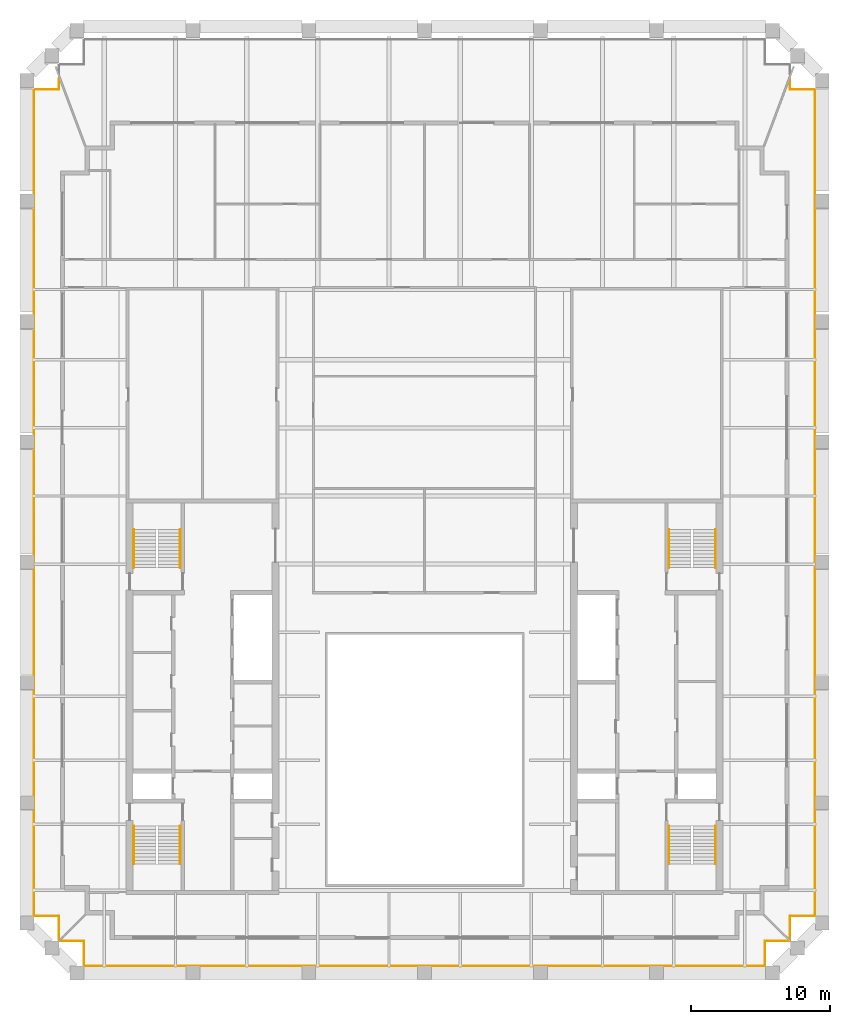
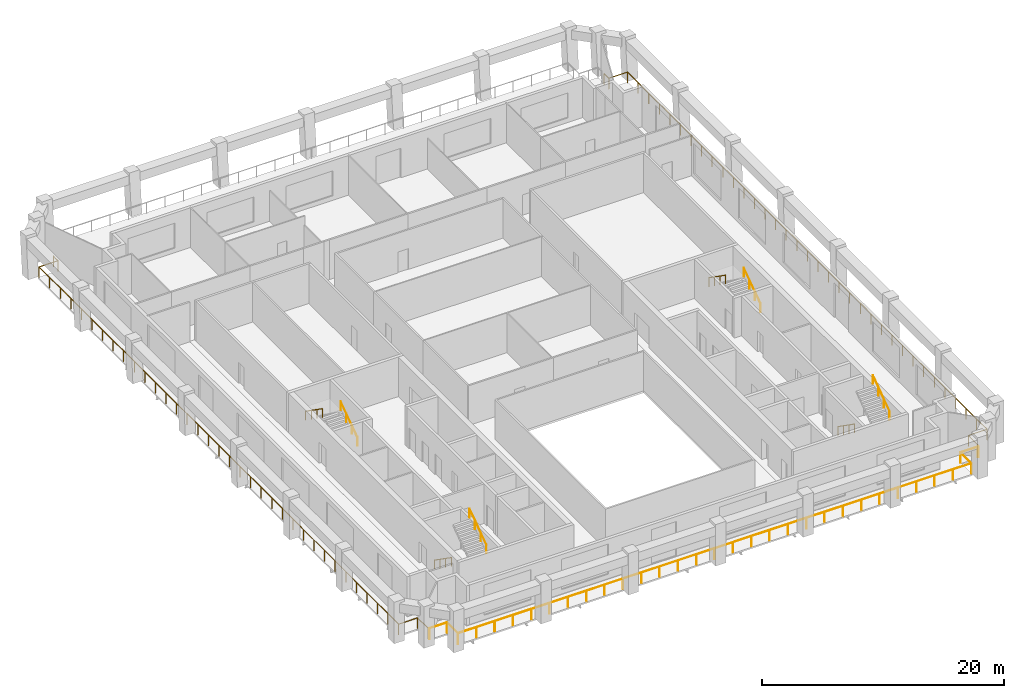
# One storey, part 8 of 9: 11 railings.
"""IFC4 building model written with IfcOpenShell, lengths in metres."""

from ifc_helpers import new_model, si_unit, direction, frame, origin, origin_2d, place, context, subcontext, project, spatial, circle, extrude, material, type_object, element, save


model = new_model("IFC4")

# Units and contexts
model_context = context("Model", 3, precision=1e-05, world=origin(), true_north=direction((0.0, 1.0)))
body_context = subcontext(model_context, "Body", "Model", "MODEL_VIEW")
ifc_project = project(units=[si_unit("LENGTHUNIT", "METRE"), si_unit("AREAUNIT", "SQUARE_METRE"), si_unit("VOLUMEUNIT", "CUBIC_METRE"), si_unit("PLANEANGLEUNIT", "RADIAN"), si_unit("MASSUNIT", "GRAM", prefix="KILO")], contexts=[model_context])

# Site, building, storey
site_placement = place(None, origin())
site = spatial("IfcSite", under=ifc_project, at=site_placement, CompositionType="ELEMENT")
building_placement = place(site_placement, origin())
building = spatial("IfcBuilding", under=site, at=building_placement, Name="Ogive Exchange Tower", CompositionType="ELEMENT")
storey_placement = place(building_placement, frame((0.0, 0.0, 346.800048828125)))
storey = spatial("IfcBuildingStorey", under=building, at=storey_placement, Name="L76", CompositionType="ELEMENT", Elevation=346.800048828125)

# Railings
ifc_material_1 = material(Name="Stainless steel 316", Category="steel")
railing_type_1 = type_object("IfcRailingType", Name="Guard 1100 stainless steel and glass", PredefinedType="GUARDRAIL", material=ifc_material_1)
railing_1_placement = place(storey_placement, frame((26.238037109375, -6.080078125, -0.050048828125)))
element("IfcRailing", 1, at=railing_1_placement, inside=storey, type_object=railing_type_1, Name="Loggia guard 1", PredefinedType="GUARDRAIL", context=body_context, shape_type="SweptSolid", body=[
    extrude(circle(Radius=0.02392578125, at=origin_2d()), frame((0.0, 0.0, 1.076171875), z_axis=(-1.0, 0.0, 0.0), x_axis=(0.0, -1.0, 0.0)), (0.0, 0.0, 1.0), 1.7080078125),
    extrude(circle(Radius=0.02392578125, at=origin_2d()), frame((-1.7080078125, 0.0, 1.076171875), z_axis=(0.0, -1.0, 0.0), x_axis=(1.0, 0.0, 0.0)), (0.0, 0.0, 1.0), 1.7998046875),
    extrude(circle(Radius=0.02392578125, at=origin_2d()), frame((-1.7080078125, -1.7998046875, 1.076171875), z_axis=(-1.0, 0.0, 0.0), x_axis=(0.0, -1.0, 0.0)), (0.0, 0.0, 1.0), 49.06005859375),
    extrude(circle(Radius=0.02392578125, at=origin_2d()), frame((-50.76806640625, -1.7998046875, 1.076171875), z_axis=(0.0, 1.0, 0.0), x_axis=(-1.0, 0.0, 0.0)), (0.0, 0.0, 1.0), 1.7998046875),
    extrude(circle(Radius=0.02392578125, at=origin_2d()), frame((-50.76806640625, 0.0, 1.076171875), z_axis=(-1.0, 0.0, 0.0), x_axis=(0.0, -1.0, 0.0)), (0.0, 0.0, 1.0), 1.7080078125),
    extrude(circle(Radius=0.02099609375, at=origin_2d()), origin(), (0.0, 0.0, 1.0), 1.052001953125),
    extrude(circle(Radius=0.02099609375, at=origin_2d()), frame((-1.7080078125, 0.0, 0.0)), (0.0, 0.0, 1.0), 1.052001953125),
    extrude(circle(Radius=0.02099609375, at=origin_2d()), frame((-1.7080078125, -1.7998046875, 0.0)), (0.0, 0.0, 1.0), 1.052001953125),
    extrude(circle(Radius=0.02099609375, at=origin_2d()), frame((-3.460205078125, -1.7998046875, 0.0)), (0.0, 0.0, 1.0), 1.052001953125),
    extrude(circle(Radius=0.02099609375, at=origin_2d()), frame((-5.21240234375, -1.7998046875, 0.0)), (0.0, 0.0, 1.0), 1.052001953125),
    extrude(circle(Radius=0.02099609375, at=origin_2d()), frame((-6.96435546875, -1.7998046875, 0.0)), (0.0, 0.0, 1.0), 1.052001953125),
    extrude(circle(Radius=0.02099609375, at=origin_2d()), frame((-8.716552734375, -1.7998046875, 0.0)), (0.0, 0.0, 1.0), 1.052001953125),
    extrude(circle(Radius=0.02099609375, at=origin_2d()), frame((-10.46875, -1.7998046875, 0.0)), (0.0, 0.0, 1.0), 1.052001953125),
    extrude(circle(Radius=0.02099609375, at=origin_2d()), frame((-12.220947265625, -1.7998046875, 0.0)), (0.0, 0.0, 1.0), 1.052001953125),
    extrude(circle(Radius=0.02099609375, at=origin_2d()), frame((-13.97314453125, -1.7998046875, 0.0)), (0.0, 0.0, 1.0), 1.052001953125),
    extrude(circle(Radius=0.02099609375, at=origin_2d()), frame((-15.72509765625, -1.7998046875, 0.0)), (0.0, 0.0, 1.0), 1.052001953125),
    extrude(circle(Radius=0.02099609375, at=origin_2d()), frame((-17.477294921875, -1.7998046875, 0.0)), (0.0, 0.0, 1.0), 1.052001953125),
    extrude(circle(Radius=0.02099609375, at=origin_2d()), frame((-19.2294921875, -1.7998046875, 0.0)), (0.0, 0.0, 1.0), 1.052001953125),
    extrude(circle(Radius=0.02099609375, at=origin_2d()), frame((-20.981689453125, -1.7998046875, 0.0)), (0.0, 0.0, 1.0), 1.052001953125),
    extrude(circle(Radius=0.02099609375, at=origin_2d()), frame((-22.733642578125, -1.7998046875, 0.0)), (0.0, 0.0, 1.0), 1.052001953125),
    extrude(circle(Radius=0.02099609375, at=origin_2d()), frame((-24.48583984375, -1.7998046875, 0.0)), (0.0, 0.0, 1.0), 1.052001953125),
    extrude(circle(Radius=0.02099609375, at=origin_2d()), frame((-26.238037109375, -1.7998046875, 0.0)), (0.0, 0.0, 1.0), 1.052001953125),
    extrude(circle(Radius=0.02099609375, at=origin_2d()), frame((-27.990234375, -1.7998046875, 0.0)), (0.0, 0.0, 1.0), 1.052001953125),
    extrude(circle(Radius=0.02099609375, at=origin_2d()), frame((-29.742431640625, -1.7998046875, 0.0)), (0.0, 0.0, 1.0), 1.052001953125),
    extrude(circle(Radius=0.02099609375, at=origin_2d()), frame((-31.494384765625, -1.7998046875, 0.0)), (0.0, 0.0, 1.0), 1.052001953125),
    extrude(circle(Radius=0.02099609375, at=origin_2d()), frame((-33.24658203125, -1.7998046875, 0.0)), (0.0, 0.0, 1.0), 1.052001953125),
    extrude(circle(Radius=0.02099609375, at=origin_2d()), frame((-34.998779296875, -1.7998046875, 0.0)), (0.0, 0.0, 1.0), 1.052001953125),
    extrude(circle(Radius=0.02099609375, at=origin_2d()), frame((-36.7509765625, -1.7998046875, 0.0)), (0.0, 0.0, 1.0), 1.052001953125),
    extrude(circle(Radius=0.02099609375, at=origin_2d()), frame((-38.5029296875, -1.7998046875, 0.0)), (0.0, 0.0, 1.0), 1.052001953125),
    extrude(circle(Radius=0.02099609375, at=origin_2d()), frame((-40.255126953125, -1.7998046875, 0.0)), (0.0, 0.0, 1.0), 1.052001953125),
    extrude(circle(Radius=0.02099609375, at=origin_2d()), frame((-42.00732421875, -1.7998046875, 0.0)), (0.0, 0.0, 1.0), 1.052001953125),
    extrude(circle(Radius=0.02099609375, at=origin_2d()), frame((-43.759521484375, -1.7998046875, 0.0)), (0.0, 0.0, 1.0), 1.052001953125),
    extrude(circle(Radius=0.02099609375, at=origin_2d()), frame((-45.51171875, -1.7998046875, 0.0)), (0.0, 0.0, 1.0), 1.052001953125),
    extrude(circle(Radius=0.02099609375, at=origin_2d()), frame((-47.263671875, -1.7998046875, 0.0)), (0.0, 0.0, 1.0), 1.052001953125),
    extrude(circle(Radius=0.02099609375, at=origin_2d()), frame((-49.015869140625, -1.7998046875, 0.0)), (0.0, 0.0, 1.0), 1.052001953125),
    extrude(circle(Radius=0.02099609375, at=origin_2d()), frame((-50.76806640625, -1.7998046875, 0.0)), (0.0, 0.0, 1.0), 1.052001953125),
    extrude(circle(Radius=0.02099609375, at=origin_2d()), frame((-50.76806640625, 0.0, 0.0)), (0.0, 0.0, 1.0), 1.052001953125),
    extrude(circle(Radius=0.02099609375, at=origin_2d()), frame((-52.47607421875, 0.0, 0.0)), (0.0, 0.0, 1.0), 1.052001953125),
])
railing_2_placement = place(storey_placement, frame((-26.330078125, -5.988037109375, -0.050048828125)))
element("IfcRailing", 2, at=railing_2_placement, inside=storey, type_object=railing_type_1, Name="Loggia guard 2", PredefinedType="GUARDRAIL", context=body_context, shape_type="SweptSolid", body=[
    extrude(circle(Radius=0.02392578125, at=origin_2d()), frame((0.0, 0.0, 1.076171875), z_axis=(0.0, 1.0, 0.0), x_axis=(-1.0, 0.0, 0.0)), (0.0, 0.0, 1.0), 1.7080078125),
    extrude(circle(Radius=0.02392578125, at=origin_2d()), frame((0.0, 1.7080078125, 1.076171875), z_axis=(-1.0, 0.0, 0.0), x_axis=(0.0, -1.0, 0.0)), (0.0, 0.0, 1.0), 1.7998046875),
    extrude(circle(Radius=0.02392578125, at=origin_2d()), frame((-1.7998046875, 1.7080078125, 1.076171875), z_axis=(0.0, 1.0, 0.0), x_axis=(-1.0, 0.0, 0.0)), (0.0, 0.0, 1.0), 59.541748046875),
    extrude(circle(Radius=0.02392578125, at=origin_2d()), frame((-1.7998046875, 61.249755859375, 1.076171875), z_axis=(1.0, 0.0, 0.0), x_axis=(0.0, 1.0, 0.0)), (0.0, 0.0, 1.0), 1.7998046875),
    extrude(circle(Radius=0.02392578125, at=origin_2d()), frame((0.0, 61.249755859375, 1.076171875), z_axis=(0.0, 1.0, 0.0), x_axis=(-1.0, 0.0, 0.0)), (0.0, 0.0, 1.0), 0.752685546875),
    extrude(circle(Radius=0.02099609375, at=origin_2d()), origin(), (0.0, 0.0, 1.0), 1.052001953125),
    extrude(circle(Radius=0.02099609375, at=origin_2d()), frame((0.0, 1.7080078125, 0.0)), (0.0, 0.0, 1.0), 1.052001953125),
    extrude(circle(Radius=0.02099609375, at=origin_2d()), frame((-1.7998046875, 1.7080078125, 0.0)), (0.0, 0.0, 1.0), 1.052001953125),
    extrude(circle(Radius=0.02099609375, at=origin_2d()), frame((-1.7998046875, 3.459228515625, 0.0)), (0.0, 0.0, 1.0), 1.052001953125),
    extrude(circle(Radius=0.02099609375, at=origin_2d()), frame((-1.7998046875, 5.21044921875, 0.0)), (0.0, 0.0, 1.0), 1.052001953125),
    extrude(circle(Radius=0.02099609375, at=origin_2d()), frame((-1.7998046875, 6.961669921875, 0.0)), (0.0, 0.0, 1.0), 1.052001953125),
    extrude(circle(Radius=0.02099609375, at=origin_2d()), frame((-1.7998046875, 8.712890625, 0.0)), (0.0, 0.0, 1.0), 1.052001953125),
    extrude(circle(Radius=0.02099609375, at=origin_2d()), frame((-1.7998046875, 10.464111328125, 0.0)), (0.0, 0.0, 1.0), 1.052001953125),
    extrude(circle(Radius=0.02099609375, at=origin_2d()), frame((-1.7998046875, 12.21533203125, 0.0)), (0.0, 0.0, 1.0), 1.052001953125),
    extrude(circle(Radius=0.02099609375, at=origin_2d()), frame((-1.7998046875, 13.966552734375, 0.0)), (0.0, 0.0, 1.0), 1.052001953125),
    extrude(circle(Radius=0.02099609375, at=origin_2d()), frame((-1.7998046875, 15.7177734375, 0.0)), (0.0, 0.0, 1.0), 1.052001953125),
    extrude(circle(Radius=0.02099609375, at=origin_2d()), frame((-1.7998046875, 17.468994140625, 0.0)), (0.0, 0.0, 1.0), 1.052001953125),
    extrude(circle(Radius=0.02099609375, at=origin_2d()), frame((-1.7998046875, 19.22021484375, 0.0)), (0.0, 0.0, 1.0), 1.052001953125),
    extrude(circle(Radius=0.02099609375, at=origin_2d()), frame((-1.7998046875, 20.971435546875, 0.0)), (0.0, 0.0, 1.0), 1.052001953125),
    extrude(circle(Radius=0.02099609375, at=origin_2d()), frame((-1.7998046875, 22.72265625, 0.0)), (0.0, 0.0, 1.0), 1.052001953125),
    extrude(circle(Radius=0.02099609375, at=origin_2d()), frame((-1.7998046875, 24.473876953125, 0.0)), (0.0, 0.0, 1.0), 1.052001953125),
    extrude(circle(Radius=0.02099609375, at=origin_2d()), frame((-1.7998046875, 26.22509765625, 0.0)), (0.0, 0.0, 1.0), 1.052001953125),
    extrude(circle(Radius=0.02099609375, at=origin_2d()), frame((-1.7998046875, 27.976318359375, 0.0)), (0.0, 0.0, 1.0), 1.052001953125),
    extrude(circle(Radius=0.02099609375, at=origin_2d()), frame((-1.7998046875, 29.7275390625, 0.0)), (0.0, 0.0, 1.0), 1.052001953125),
    extrude(circle(Radius=0.02099609375, at=origin_2d()), frame((-1.7998046875, 31.47900390625, 0.0)), (0.0, 0.0, 1.0), 1.052001953125),
    extrude(circle(Radius=0.02099609375, at=origin_2d()), frame((-1.7998046875, 33.230224609375, 0.0)), (0.0, 0.0, 1.0), 1.052001953125),
    extrude(circle(Radius=0.02099609375, at=origin_2d()), frame((-1.7998046875, 34.9814453125, 0.0)), (0.0, 0.0, 1.0), 1.052001953125),
    extrude(circle(Radius=0.02099609375, at=origin_2d()), frame((-1.7998046875, 36.732666015625, 0.0)), (0.0, 0.0, 1.0), 1.052001953125),
    extrude(circle(Radius=0.02099609375, at=origin_2d()), frame((-1.7998046875, 38.48388671875, 0.0)), (0.0, 0.0, 1.0), 1.052001953125),
    extrude(circle(Radius=0.02099609375, at=origin_2d()), frame((-1.7998046875, 40.235107421875, 0.0)), (0.0, 0.0, 1.0), 1.052001953125),
    extrude(circle(Radius=0.02099609375, at=origin_2d()), frame((-1.7998046875, 41.986328125, 0.0)), (0.0, 0.0, 1.0), 1.052001953125),
    extrude(circle(Radius=0.02099609375, at=origin_2d()), frame((-1.7998046875, 43.737548828125, 0.0)), (0.0, 0.0, 1.0), 1.052001953125),
    extrude(circle(Radius=0.02099609375, at=origin_2d()), frame((-1.7998046875, 45.48876953125, 0.0)), (0.0, 0.0, 1.0), 1.052001953125),
    extrude(circle(Radius=0.02099609375, at=origin_2d()), frame((-1.7998046875, 47.239990234375, 0.0)), (0.0, 0.0, 1.0), 1.052001953125),
    extrude(circle(Radius=0.02099609375, at=origin_2d()), frame((-1.7998046875, 48.9912109375, 0.0)), (0.0, 0.0, 1.0), 1.052001953125),
    extrude(circle(Radius=0.02099609375, at=origin_2d()), frame((-1.7998046875, 50.742431640625, 0.0)), (0.0, 0.0, 1.0), 1.052001953125),
    extrude(circle(Radius=0.02099609375, at=origin_2d()), frame((-1.7998046875, 52.49365234375, 0.0)), (0.0, 0.0, 1.0), 1.052001953125),
    extrude(circle(Radius=0.02099609375, at=origin_2d()), frame((-1.7998046875, 54.244873046875, 0.0)), (0.0, 0.0, 1.0), 1.052001953125),
    extrude(circle(Radius=0.02099609375, at=origin_2d()), frame((-1.7998046875, 55.99609375, 0.0)), (0.0, 0.0, 1.0), 1.052001953125),
    extrude(circle(Radius=0.02099609375, at=origin_2d()), frame((-1.7998046875, 57.747314453125, 0.0)), (0.0, 0.0, 1.0), 1.052001953125),
    extrude(circle(Radius=0.02099609375, at=origin_2d()), frame((-1.7998046875, 59.49853515625, 0.0)), (0.0, 0.0, 1.0), 1.052001953125),
    extrude(circle(Radius=0.02099609375, at=origin_2d()), frame((-1.7998046875, 61.249755859375, 0.0)), (0.0, 0.0, 1.0), 1.052001953125),
    extrude(circle(Radius=0.02099609375, at=origin_2d()), frame((0.0, 61.249755859375, 0.0)), (0.0, 0.0, 1.0), 1.052001953125),
    extrude(circle(Radius=0.02099609375, at=origin_2d()), frame((0.0, 62.00244140625, 0.0)), (0.0, 0.0, 1.0), 1.052001953125),
])
railing_3_placement = place(storey_placement, frame((26.330078125, 56.014404296875, -0.050048828125)))
element("IfcRailing", 3, at=railing_3_placement, inside=storey, type_object=railing_type_1, Name="Loggia guard 4", PredefinedType="GUARDRAIL", context=body_context, shape_type="SweptSolid", body=[
    extrude(circle(Radius=0.02392578125, at=origin_2d()), frame((0.0, 0.0, 1.076171875), z_axis=(0.0, -1.0, 0.0), x_axis=(1.0, 0.0, 0.0)), (0.0, 0.0, 1.0), 0.752685546875),
    extrude(circle(Radius=0.02392578125, at=origin_2d()), frame((0.0, -0.752685546875, 1.076171875), z_axis=(1.0, 0.0, 0.0), x_axis=(0.0, 1.0, 0.0)), (0.0, 0.0, 1.0), 1.7998046875),
    extrude(circle(Radius=0.02392578125, at=origin_2d()), frame((1.7998046875, -0.752685546875, 1.076171875), z_axis=(0.0, -1.0, 0.0), x_axis=(1.0, 0.0, 0.0)), (0.0, 0.0, 1.0), 59.541748046875),
    extrude(circle(Radius=0.02392578125, at=origin_2d()), frame((1.7998046875, -60.29443359375, 1.076171875), z_axis=(-1.0, 0.0, 0.0), x_axis=(0.0, -1.0, 0.0)), (0.0, 0.0, 1.0), 1.7998046875),
    extrude(circle(Radius=0.02392578125, at=origin_2d()), frame((0.0, -60.29443359375, 1.076171875), z_axis=(0.0, -1.0, 0.0), x_axis=(1.0, 0.0, 0.0)), (0.0, 0.0, 1.0), 1.7080078125),
    extrude(circle(Radius=0.02099609375, at=origin_2d()), origin(), (0.0, 0.0, 1.0), 1.052001953125),
    extrude(circle(Radius=0.02099609375, at=origin_2d()), frame((0.0, -0.752685546875, 0.0)), (0.0, 0.0, 1.0), 1.052001953125),
    extrude(circle(Radius=0.02099609375, at=origin_2d()), frame((1.7998046875, -0.752685546875, 0.0)), (0.0, 0.0, 1.0), 1.052001953125),
    extrude(circle(Radius=0.02099609375, at=origin_2d()), frame((1.7998046875, -2.50390625, 0.0)), (0.0, 0.0, 1.0), 1.052001953125),
    extrude(circle(Radius=0.02099609375, at=origin_2d()), frame((1.7998046875, -4.255126953125, 0.0)), (0.0, 0.0, 1.0), 1.052001953125),
    extrude(circle(Radius=0.02099609375, at=origin_2d()), frame((1.7998046875, -6.00634765625, 0.0)), (0.0, 0.0, 1.0), 1.052001953125),
    extrude(circle(Radius=0.02099609375, at=origin_2d()), frame((1.7998046875, -7.757568359375, 0.0)), (0.0, 0.0, 1.0), 1.052001953125),
    extrude(circle(Radius=0.02099609375, at=origin_2d()), frame((1.7998046875, -9.5087890625, 0.0)), (0.0, 0.0, 1.0), 1.052001953125),
    extrude(circle(Radius=0.02099609375, at=origin_2d()), frame((1.7998046875, -11.260009765625, 0.0)), (0.0, 0.0, 1.0), 1.052001953125),
    extrude(circle(Radius=0.02099609375, at=origin_2d()), frame((1.7998046875, -13.01123046875, 0.0)), (0.0, 0.0, 1.0), 1.052001953125),
    extrude(circle(Radius=0.02099609375, at=origin_2d()), frame((1.7998046875, -14.762451171875, 0.0)), (0.0, 0.0, 1.0), 1.052001953125),
    extrude(circle(Radius=0.02099609375, at=origin_2d()), frame((1.7998046875, -16.513671875, 0.0)), (0.0, 0.0, 1.0), 1.052001953125),
    extrude(circle(Radius=0.02099609375, at=origin_2d()), frame((1.7998046875, -18.264892578125, 0.0)), (0.0, 0.0, 1.0), 1.052001953125),
    extrude(circle(Radius=0.02099609375, at=origin_2d()), frame((1.7998046875, -20.01611328125, 0.0)), (0.0, 0.0, 1.0), 1.052001953125),
    extrude(circle(Radius=0.02099609375, at=origin_2d()), frame((1.7998046875, -21.767333984375, 0.0)), (0.0, 0.0, 1.0), 1.052001953125),
    extrude(circle(Radius=0.02099609375, at=origin_2d()), frame((1.7998046875, -23.5185546875, 0.0)), (0.0, 0.0, 1.0), 1.052001953125),
    extrude(circle(Radius=0.02099609375, at=origin_2d()), frame((1.7998046875, -25.269775390625, 0.0)), (0.0, 0.0, 1.0), 1.052001953125),
    extrude(circle(Radius=0.02099609375, at=origin_2d()), frame((1.7998046875, -27.02099609375, 0.0)), (0.0, 0.0, 1.0), 1.052001953125),
    extrude(circle(Radius=0.02099609375, at=origin_2d()), frame((1.7998046875, -28.772216796875, 0.0)), (0.0, 0.0, 1.0), 1.052001953125),
    extrude(circle(Radius=0.02099609375, at=origin_2d()), frame((1.7998046875, -30.5234375, 0.0)), (0.0, 0.0, 1.0), 1.052001953125),
    extrude(circle(Radius=0.02099609375, at=origin_2d()), frame((1.7998046875, -32.27490234375, 0.0)), (0.0, 0.0, 1.0), 1.052001953125),
    extrude(circle(Radius=0.02099609375, at=origin_2d()), frame((1.7998046875, -34.026123046875, 0.0)), (0.0, 0.0, 1.0), 1.052001953125),
    extrude(circle(Radius=0.02099609375, at=origin_2d()), frame((1.7998046875, -35.77734375, 0.0)), (0.0, 0.0, 1.0), 1.052001953125),
    extrude(circle(Radius=0.02099609375, at=origin_2d()), frame((1.7998046875, -37.528564453125, 0.0)), (0.0, 0.0, 1.0), 1.052001953125),
    extrude(circle(Radius=0.02099609375, at=origin_2d()), frame((1.7998046875, -39.27978515625, 0.0)), (0.0, 0.0, 1.0), 1.052001953125),
    extrude(circle(Radius=0.02099609375, at=origin_2d()), frame((1.7998046875, -41.031005859375, 0.0)), (0.0, 0.0, 1.0), 1.052001953125),
    extrude(circle(Radius=0.02099609375, at=origin_2d()), frame((1.7998046875, -42.7822265625, 0.0)), (0.0, 0.0, 1.0), 1.052001953125),
    extrude(circle(Radius=0.02099609375, at=origin_2d()), frame((1.7998046875, -44.533447265625, 0.0)), (0.0, 0.0, 1.0), 1.052001953125),
    extrude(circle(Radius=0.02099609375, at=origin_2d()), frame((1.7998046875, -46.28466796875, 0.0)), (0.0, 0.0, 1.0), 1.052001953125),
    extrude(circle(Radius=0.02099609375, at=origin_2d()), frame((1.7998046875, -48.035888671875, 0.0)), (0.0, 0.0, 1.0), 1.052001953125),
    extrude(circle(Radius=0.02099609375, at=origin_2d()), frame((1.7998046875, -49.787109375, 0.0)), (0.0, 0.0, 1.0), 1.052001953125),
    extrude(circle(Radius=0.02099609375, at=origin_2d()), frame((1.7998046875, -51.538330078125, 0.0)), (0.0, 0.0, 1.0), 1.052001953125),
    extrude(circle(Radius=0.02099609375, at=origin_2d()), frame((1.7998046875, -53.28955078125, 0.0)), (0.0, 0.0, 1.0), 1.052001953125),
    extrude(circle(Radius=0.02099609375, at=origin_2d()), frame((1.7998046875, -55.040771484375, 0.0)), (0.0, 0.0, 1.0), 1.052001953125),
    extrude(circle(Radius=0.02099609375, at=origin_2d()), frame((1.7998046875, -56.7919921875, 0.0)), (0.0, 0.0, 1.0), 1.052001953125),
    extrude(circle(Radius=0.02099609375, at=origin_2d()), frame((1.7998046875, -58.543212890625, 0.0)), (0.0, 0.0, 1.0), 1.052001953125),
    extrude(circle(Radius=0.02099609375, at=origin_2d()), frame((1.7998046875, -60.29443359375, 0.0)), (0.0, 0.0, 1.0), 1.052001953125),
    extrude(circle(Radius=0.02099609375, at=origin_2d()), frame((0.0, -60.29443359375, 0.0)), (0.0, 0.0, 1.0), 1.052001953125),
    extrude(circle(Radius=0.02099609375, at=origin_2d()), frame((0.0, -62.00244140625, 0.0)), (0.0, 0.0, 1.0), 1.052001953125),
])
ifc_material_2 = material(Name="Stainless steel", Category="steel")
railing_type_2 = type_object("IfcRailingType", Name="Stair handrail 900", PredefinedType="HANDRAIL", material=ifc_material_2)
railing_4_placement = place(storey_placement, frame((-20.949951171875, 2.199951171875, 0.175048828125)))
element("IfcRailing", 4, at=railing_4_placement, inside=storey, type_object=railing_type_2, Name="L76 ST1 stair handrail 1", PredefinedType="HANDRAIL", context=body_context, shape_type="SweptSolid", body=[
    extrude(circle(Radius=0.02392578125, at=origin_2d()), frame((0.0, 0.0, 0.8759765625), z_axis=(0.0, -0.819259255306, 0.573423292687), x_axis=(1.0, 0.0, 0.0)), (0.0, 0.0, 1.0), 3.356689453125),
    extrude(circle(Radius=0.02099609375, at=origin_2d()), origin(), (0.0, 0.0, 1.0), 0.851806640625),
    extrude(circle(Radius=0.02099609375, at=origin_2d()), frame((0.0, -0.916748046875, 0.6416015625)), (0.0, 0.0, 1.0), 0.851806640625),
    extrude(circle(Radius=0.02099609375, at=origin_2d()), frame((0.0, -1.833251953125, 1.283203125)), (0.0, 0.0, 1.0), 0.851806640625),
    extrude(circle(Radius=0.02099609375, at=origin_2d()), frame((0.0, -2.75, 1.9248046875)), (0.0, 0.0, 1.0), 0.851806640625),
])
railing_5_placement = place(storey_placement, frame((-17.60009765625, -0.550048828125, 2.27490234375)))
element("IfcRailing", 5, at=railing_5_placement, inside=storey, type_object=railing_type_2, Name="L76 ST1 stair handrail 2", PredefinedType="HANDRAIL", context=body_context, shape_type="SweptSolid", body=[
    extrude(circle(Radius=0.02392578125, at=origin_2d()), frame((0.0, 0.0, 0.8759765625), z_axis=(0.0, 0.819225086817, 0.573472106672), x_axis=(-1.0, 0.0, 0.0)), (0.0, 0.0, 1.0), 3.35693359375),
    extrude(circle(Radius=0.02099609375, at=origin_2d()), origin(), (0.0, 0.0, 1.0), 0.851806640625),
    extrude(circle(Radius=0.02099609375, at=origin_2d()), frame((0.0, 0.916748046875, 0.6416015625)), (0.0, 0.0, 1.0), 0.851806640625),
    extrude(circle(Radius=0.02099609375, at=origin_2d()), frame((0.0, 1.833251953125, 1.283447265625)), (0.0, 0.0, 1.0), 0.851806640625),
    extrude(circle(Radius=0.02099609375, at=origin_2d()), frame((0.0, 2.75, 1.925048828125)), (0.0, 0.0, 1.0), 0.851806640625),
])
railing_6_placement = place(storey_placement, frame((-17.60009765625, 20.800048828125, 0.175048828125)))
element("IfcRailing", 6, at=railing_6_placement, inside=storey, type_object=railing_type_2, Name="L76 ST2 stair handrail 1", PredefinedType="HANDRAIL", context=body_context, shape_type="SweptSolid", body=[
    extrude(circle(Radius=0.02392578125, at=origin_2d()), frame((0.0, 0.0, 0.8759765625), z_axis=(0.0, 0.819259255306, 0.573423292687), x_axis=(-1.0, 0.0, 0.0)), (0.0, 0.0, 1.0), 3.356689453125),
    extrude(circle(Radius=0.02099609375, at=origin_2d()), origin(), (0.0, 0.0, 1.0), 0.851806640625),
    extrude(circle(Radius=0.02099609375, at=origin_2d()), frame((0.0, 0.916748046875, 0.6416015625)), (0.0, 0.0, 1.0), 0.851806640625),
    extrude(circle(Radius=0.02099609375, at=origin_2d()), frame((0.0, 1.833251953125, 1.283203125)), (0.0, 0.0, 1.0), 0.851806640625),
    extrude(circle(Radius=0.02099609375, at=origin_2d()), frame((0.0, 2.75, 1.9248046875)), (0.0, 0.0, 1.0), 0.851806640625),
])
railing_7_placement = place(storey_placement, frame((-20.949951171875, 23.550048828125, 2.27490234375)))
element("IfcRailing", 7, at=railing_7_placement, inside=storey, type_object=railing_type_2, Name="L76 ST2 stair handrail 2", PredefinedType="HANDRAIL", context=body_context, shape_type="SweptSolid", body=[
    extrude(circle(Radius=0.02392578125, at=origin_2d()), frame((0.0, 0.0, 0.8759765625), z_axis=(0.0, -0.819225086817, 0.573472106672), x_axis=(1.0, 0.0, 0.0)), (0.0, 0.0, 1.0), 3.35693359375),
    extrude(circle(Radius=0.02099609375, at=origin_2d()), origin(), (0.0, 0.0, 1.0), 0.851806640625),
    extrude(circle(Radius=0.02099609375, at=origin_2d()), frame((0.0, -0.916748046875, 0.6416015625)), (0.0, 0.0, 1.0), 0.851806640625),
    extrude(circle(Radius=0.02099609375, at=origin_2d()), frame((0.0, -1.833251953125, 1.283447265625)), (0.0, 0.0, 1.0), 0.851806640625),
    extrude(circle(Radius=0.02099609375, at=origin_2d()), frame((0.0, -2.75, 1.925048828125)), (0.0, 0.0, 1.0), 0.851806640625),
])
railing_8_placement = place(storey_placement, frame((17.60009765625, 2.199951171875, 0.175048828125)))
element("IfcRailing", 8, at=railing_8_placement, inside=storey, type_object=railing_type_2, Name="L76 ST3 stair handrail 1", PredefinedType="HANDRAIL", context=body_context, shape_type="SweptSolid", body=[
    extrude(circle(Radius=0.02392578125, at=origin_2d()), frame((0.0, 0.0, 0.8759765625), z_axis=(0.0, -0.819259255306, 0.573423292687), x_axis=(1.0, 0.0, 0.0)), (0.0, 0.0, 1.0), 3.356689453125),
    extrude(circle(Radius=0.02099609375, at=origin_2d()), origin(), (0.0, 0.0, 1.0), 0.851806640625),
    extrude(circle(Radius=0.02099609375, at=origin_2d()), frame((0.0, -0.916748046875, 0.6416015625)), (0.0, 0.0, 1.0), 0.851806640625),
    extrude(circle(Radius=0.02099609375, at=origin_2d()), frame((0.0, -1.833251953125, 1.283203125)), (0.0, 0.0, 1.0), 0.851806640625),
    extrude(circle(Radius=0.02099609375, at=origin_2d()), frame((0.0, -2.75, 1.9248046875)), (0.0, 0.0, 1.0), 0.851806640625),
])
railing_9_placement = place(storey_placement, frame((20.949951171875, -0.550048828125, 2.27490234375)))
element("IfcRailing", 9, at=railing_9_placement, inside=storey, type_object=railing_type_2, Name="L76 ST3 stair handrail 2", PredefinedType="HANDRAIL", context=body_context, shape_type="SweptSolid", body=[
    extrude(circle(Radius=0.02392578125, at=origin_2d()), frame((0.0, 0.0, 0.8759765625), z_axis=(0.0, 0.819225086817, 0.573472106672), x_axis=(-1.0, 0.0, 0.0)), (0.0, 0.0, 1.0), 3.35693359375),
    extrude(circle(Radius=0.02099609375, at=origin_2d()), origin(), (0.0, 0.0, 1.0), 0.851806640625),
    extrude(circle(Radius=0.02099609375, at=origin_2d()), frame((0.0, 0.916748046875, 0.6416015625)), (0.0, 0.0, 1.0), 0.851806640625),
    extrude(circle(Radius=0.02099609375, at=origin_2d()), frame((0.0, 1.833251953125, 1.283447265625)), (0.0, 0.0, 1.0), 0.851806640625),
    extrude(circle(Radius=0.02099609375, at=origin_2d()), frame((0.0, 2.75, 1.925048828125)), (0.0, 0.0, 1.0), 0.851806640625),
])
railing_10_placement = place(storey_placement, frame((20.949951171875, 20.800048828125, 0.175048828125)))
element("IfcRailing", 10, at=railing_10_placement, inside=storey, type_object=railing_type_2, Name="L76 ST4 stair handrail 1", PredefinedType="HANDRAIL", context=body_context, shape_type="SweptSolid", body=[
    extrude(circle(Radius=0.02392578125, at=origin_2d()), frame((0.0, 0.0, 0.8759765625), z_axis=(0.0, 0.819259255306, 0.573423292687), x_axis=(-1.0, 0.0, 0.0)), (0.0, 0.0, 1.0), 3.356689453125),
    extrude(circle(Radius=0.02099609375, at=origin_2d()), origin(), (0.0, 0.0, 1.0), 0.851806640625),
    extrude(circle(Radius=0.02099609375, at=origin_2d()), frame((0.0, 0.916748046875, 0.6416015625)), (0.0, 0.0, 1.0), 0.851806640625),
    extrude(circle(Radius=0.02099609375, at=origin_2d()), frame((0.0, 1.833251953125, 1.283203125)), (0.0, 0.0, 1.0), 0.851806640625),
    extrude(circle(Radius=0.02099609375, at=origin_2d()), frame((0.0, 2.75, 1.9248046875)), (0.0, 0.0, 1.0), 0.851806640625),
])
railing_11_placement = place(storey_placement, frame((17.60009765625, 23.550048828125, 2.27490234375)))
element("IfcRailing", 11, at=railing_11_placement, inside=storey, type_object=railing_type_2, Name="L76 ST4 stair handrail 2", PredefinedType="HANDRAIL", context=body_context, shape_type="SweptSolid", body=[
    extrude(circle(Radius=0.02392578125, at=origin_2d()), frame((0.0, 0.0, 0.8759765625), z_axis=(0.0, -0.819225086817, 0.573472106672), x_axis=(1.0, 0.0, 0.0)), (0.0, 0.0, 1.0), 3.35693359375),
    extrude(circle(Radius=0.02099609375, at=origin_2d()), origin(), (0.0, 0.0, 1.0), 0.851806640625),
    extrude(circle(Radius=0.02099609375, at=origin_2d()), frame((0.0, -0.916748046875, 0.6416015625)), (0.0, 0.0, 1.0), 0.851806640625),
    extrude(circle(Radius=0.02099609375, at=origin_2d()), frame((0.0, -1.833251953125, 1.283447265625)), (0.0, 0.0, 1.0), 0.851806640625),
    extrude(circle(Radius=0.02099609375, at=origin_2d()), frame((0.0, -2.75, 1.925048828125)), (0.0, 0.0, 1.0), 0.851806640625),
])

save(model, "model.ifc")
